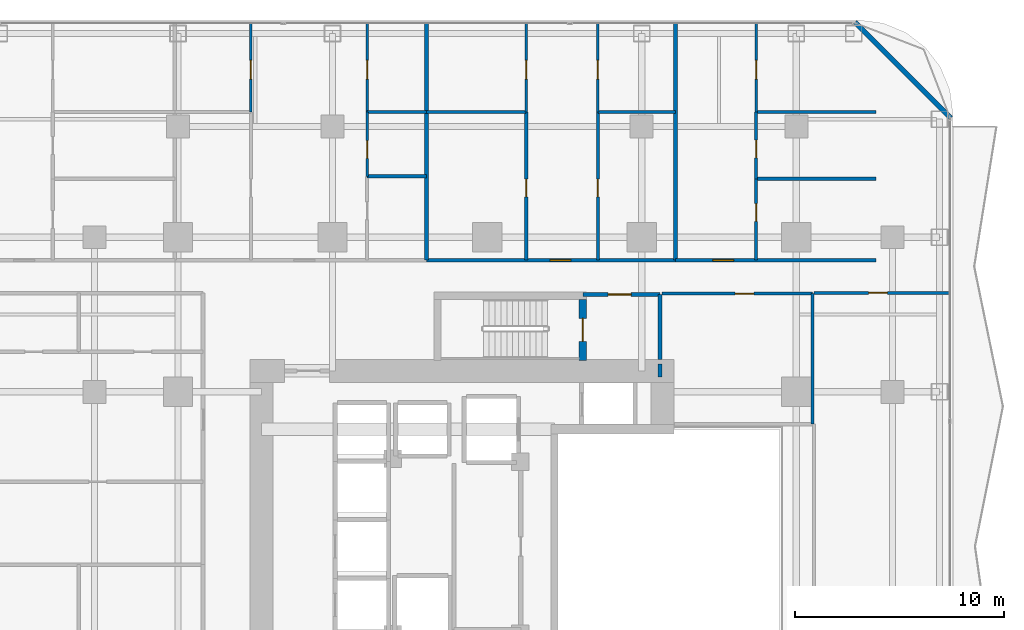
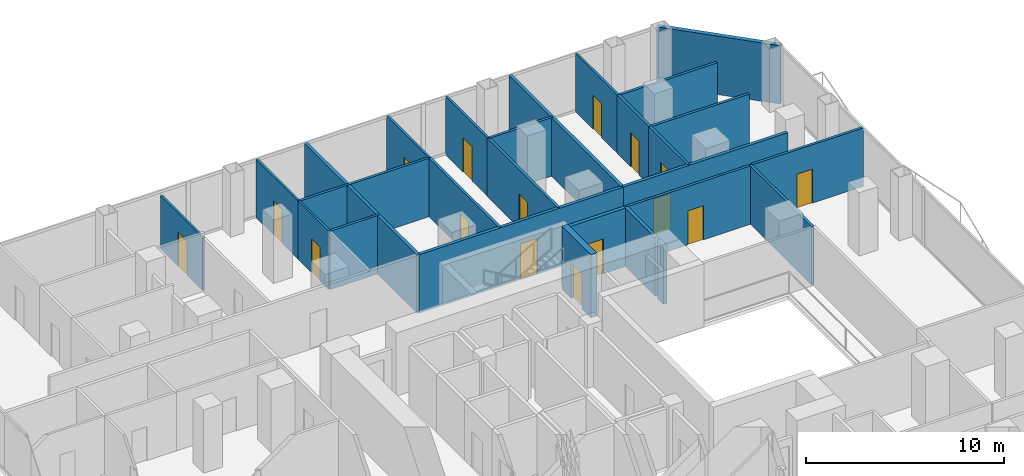
# One storey, part 23 of 29: 28 walls, 16 doors, 16 openings.
"""IFC4 building model written with IfcOpenShell, lengths in metres."""

from ifc_helpers import new_model, si_unit, direction, frame, frame_2d, origin, place, context, subcontext, project, spatial, rectangle, extrude, material, layer, layer_set, type_object, element, fill, save


model = new_model("IFC4")

# Units and contexts
model_context = context("Model", 3, precision=1e-05, world=origin(), true_north=direction((0.0, 1.0)))
body_context = subcontext(model_context, "Body", "Model", "MODEL_VIEW")
ifc_project = project(units=[si_unit("LENGTHUNIT", "METRE"), si_unit("AREAUNIT", "SQUARE_METRE"), si_unit("VOLUMEUNIT", "CUBIC_METRE"), si_unit("PLANEANGLEUNIT", "RADIAN"), si_unit("MASSUNIT", "GRAM", prefix="KILO")], contexts=[model_context])

# Site, building, storey
site_placement = place(None, origin())
site = spatial("IfcSite", under=ifc_project, at=site_placement, CompositionType="ELEMENT")
building_placement = place(site_placement, origin())
building = spatial("IfcBuilding", under=site, at=building_placement, Name="Khorvyn Point Tower", CompositionType="ELEMENT")
storey_placement = place(building_placement, frame((0.0, 0.0, 73.5)))
storey = spatial("IfcBuildingStorey", under=building, at=storey_placement, Name="L19", CompositionType="ELEMENT", Elevation=73.5)

# Wall, opening, door
ifc_material_1 = material(Name="Double acoustic gypsum on twin steel stud", Category="steel")
ifc_layer_1 = layer(ifc_material_1, 0.179931640625)
ifc_layer_set_1 = layer_set([ifc_layer_1], Name="Acoustic Double-Stud Apartment Demising Wall 180")
wall_type_1 = type_object("IfcWallType", Name="Acoustic Double-Stud Apartment Demising Wall 180", PredefinedType="PARTITIONING", material=ifc_layer_set_1)
wall_1_placement = place(storey_placement, frame((-2.89990234375, 13.699951171875, 0.0), z_axis=(0.0, 0.0, 1.0), x_axis=(1.0, 0.0, 0.0)))
wall_1 = element("IfcWall", 1, at=wall_1_placement, inside=storey, type_object=wall_type_1, Name="Wall", PredefinedType="PARTITIONING", context=body_context, shape_type="SweptSolid", body=[
    extrude(rectangle(XDim=11.921875, YDim=0.179931640625, at=frame_2d((5.9609375, 0.0))), origin(), (0.0, 0.0, 1.0), 3.60009765625),
])
opening_1_placement = place(wall_1_placement, frame((5.91015625, 0.0, 0.0)))
opening_1 = element("IfcOpeningElement", 2, at=opening_1_placement, cuts=wall_1, Name="Opening ID-AP60", PredefinedType="OPENING", context=body_context, shape_type="SweptSolid", body=[
    extrude(rectangle(XDim=1.0, YDim=2.199951171875, at=frame_2d((0.5, 1.10009765625))), frame((0.0, 0.099853515625, 0.0), z_axis=(0.0, -1.0, 0.0), x_axis=(1.0, 0.0, 0.0)), (0.0, 0.0, 1.0), 0.199951171875),
])
ifc_material_2 = material(Name="Engineered hardwood fire-rated leaf", Category="wood")
door_type_1 = type_object("IfcDoorType", Name="Acoustic Solid-Core Timber Apartment Entrance Door 1000x2200", OperationType="NOTDEFINED", PredefinedType="DOOR", material=ifc_material_2)
door_1_placement = place(opening_1_placement, origin())
door_1 = element("IfcDoor", 3, at=door_1_placement, inside=storey, type_object=door_type_1, Name="Door", OperationType="SINGLE_SWING_LEFT", OverallHeight=2.199951171875, OverallWidth=1.0, PredefinedType="DOOR", context=body_context, shape_type="SweptSolid", body=[
    extrude(rectangle(XDim=1.0, YDim=2.199951171875, at=frame_2d((0.5, 1.10009765625))), frame((0.0, 0.02490234375, 0.0), z_axis=(0.0, -1.0, 0.0), x_axis=(1.0, 0.0, 0.0)), (0.0, 0.0, 1.0), 0.050048828125),
])
fill(opening_1, door_1)

wall_2_placement = place(storey_placement, frame((9.02197265625, 13.699951171875, 0.0), z_axis=(0.0, 0.0, 1.0), x_axis=(1.0, 0.0, 0.0)))
wall_2 = element("IfcWall", 4, at=wall_2_placement, inside=storey, type_object=wall_type_1, Name="Wall", PredefinedType="PARTITIONING", context=body_context, shape_type="SweptSolid", body=[
    extrude(rectangle(XDim=9.59814453125, YDim=0.179931640625, at=frame_2d((4.799072265625, 0.0))), origin(), (0.0, 0.0, 1.0), 3.60009765625),
])
opening_2_placement = place(wall_2_placement, frame((1.779541015625, 0.0, 0.0)))
opening_2 = element("IfcOpeningElement", 5, at=opening_2_placement, cuts=wall_2, Name="Opening ID-AP60", PredefinedType="OPENING", context=body_context, shape_type="SweptSolid", body=[
    extrude(rectangle(XDim=1.0, YDim=2.199951171875, at=frame_2d((0.5, 1.10009765625))), frame((0.0, 0.099853515625, 0.0), z_axis=(0.0, -1.0, 0.0), x_axis=(1.0, 0.0, 0.0)), (0.0, 0.0, 1.0), 0.199951171875),
])
door_2_placement = place(opening_2_placement, origin())
door_2 = element("IfcDoor", 6, at=door_2_placement, inside=storey, type_object=door_type_1, Name="Door", OperationType="SINGLE_SWING_RIGHT", OverallHeight=2.199951171875, OverallWidth=1.0, PredefinedType="DOOR", context=body_context, shape_type="SweptSolid", body=[
    extrude(rectangle(XDim=1.0, YDim=2.199951171875, at=frame_2d((0.5, 1.10009765625))), frame((0.0, 0.02490234375, 0.0), z_axis=(0.0, -1.0, 0.0), x_axis=(1.0, 0.0, 0.0)), (0.0, 0.0, 1.0), 0.050048828125),
])
fill(opening_2, door_2)

# Walls
for number, where, z_axis, x_axis, name in (
    (7, (-2.89990234375, 13.699951171875, 0.0), (0.0, 0.0, 1.0), (0.0, 1.0, 0.0), "Wall"),
    (8, (9.02197265625, 13.699951171875, 0.0), (0.0, 0.0, 1.0), (0.0, 1.0, 0.0), "Wall"),
):
    element("IfcWall", number, at=place(storey_placement, frame(where, z_axis=z_axis, x_axis=x_axis)), inside=storey, type_object=wall_type_1, Name=name, PredefinedType="PARTITIONING", context=body_context, shape_type="SweptSolid", body=[
        extrude(rectangle(XDim=11.330078125, YDim=0.179931640625, at=frame_2d((5.6650390625, 0.0))), origin(), (0.0, 0.0, 1.0), 3.60009765625),
    ])
ifc_material_3 = material(Name="Pale anodised aluminium rainscreen on steel stud", Category="steel")
ifc_layer_2 = layer(ifc_material_3, 0.239990234375)
ifc_layer_set_2 = layer_set([ifc_layer_2], Name="Anodised Aluminium Insulated Corner Spandrel Wall 240")
wall_type_2 = type_object("IfcWallType", Name="Anodised Aluminium Insulated Corner Spandrel Wall 240", PredefinedType="SOLIDWALL", material=ifc_layer_set_2)
wall_3_placement = place(storey_placement, frame((17.607666015625, 25.09228515625, 0.0), z_axis=(0.0, 0.0, 1.0), x_axis=(0.707106781187, -0.707106781187, 0.0)))
element("IfcWall", 9, at=wall_3_placement, inside=storey, type_object=wall_type_2, Name="L19 Rounded Corner Wall NE", PredefinedType="SOLIDWALL", context=body_context, shape_type="SweptSolid", body=[
    extrude(rectangle(XDim=6.48388671875, YDim=0.239990234375, at=frame_2d((3.241943359375, 0.0))), origin(), (0.0, 0.0, 1.0), 3.60009765625),
])

# Wall, opening, door
ifc_material_4 = material(Name="Concrete C40/50", Category="concrete")
ifc_layer_3 = layer(ifc_material_4, 0.199951171875)
ifc_layer_set_3 = layer_set([ifc_layer_3], Name="Concrete C40/50 Fire-Lobby Compartment Wall 200")
wall_type_3 = type_object("IfcWallType", Name="Concrete C40/50 Fire-Lobby Compartment Wall 200", PredefinedType="SOLIDWALL", material=ifc_layer_set_3)
wall_4_placement = place(storey_placement, frame((4.580078125, 12.06005859375, 0.0), z_axis=(0.0, 0.0, 1.0), x_axis=(1.0, 0.0, 0.0)))
wall_4 = element("IfcWall", 10, at=wall_4_placement, inside=storey, type_object=wall_type_3, Name="Wall", PredefinedType="SOLIDWALL", context=body_context, shape_type="SweptSolid", body=[
    extrude(rectangle(XDim=3.699951171875, YDim=0.199951171875, at=frame_2d((1.85009765625, 0.0))), origin(), (0.0, 0.0, 1.0), 3.60009765625),
])
opening_3_placement = place(wall_4_placement, frame((1.21240234375, 0.0, 0.0)))
opening_3 = element("IfcOpeningElement", 11, at=opening_3_placement, cuts=wall_4, Name="Opening ID-FL90", PredefinedType="OPENING", context=body_context, shape_type="SweptSolid", body=[
    extrude(rectangle(XDim=1.10009765625, YDim=2.14990234375, at=frame_2d((0.550048828125, 1.074951171875))), frame((0.0, 0.10986328125, 0.0), z_axis=(0.0, -1.0, 0.0), x_axis=(1.0, 0.0, 0.0)), (0.0, 0.0, 1.0), 0.219970703125),
])
ifc_material_5 = material(Name="Galvanised powder-coated steel", Category="steel")
door_type_2 = type_object("IfcDoorType", Name="Fire-Rated Steel Lobby and Stair Door 1100x2150", OperationType="NOTDEFINED", PredefinedType="DOOR", material=ifc_material_5)
door_3_placement = place(opening_3_placement, origin())
door_3 = element("IfcDoor", 12, at=door_3_placement, inside=storey, type_object=door_type_2, Name="Door", OperationType="SINGLE_SWING_LEFT", OverallHeight=2.14990234375, OverallWidth=1.10009765625, PredefinedType="DOOR", context=body_context, shape_type="SweptSolid", body=[
    extrude(rectangle(XDim=1.10009765625, YDim=2.14990234375, at=frame_2d((0.550048828125, 1.074951171875))), frame((0.0, 0.02490234375, 0.0), z_axis=(0.0, -1.0, 0.0), x_axis=(1.0, 0.0, 0.0)), (0.0, 0.0, 1.0), 0.050048828125),
])
fill(opening_3, door_3)

# Walls
wall_5_placement = place(storey_placement, frame((8.280029296875, 8.949951171875, 0.0), z_axis=(0.0, 0.0, 1.0), x_axis=(0.0, 1.0, 0.0)))
element("IfcWall", 13, at=wall_5_placement, inside=storey, type_object=wall_type_3, Name="Wall", PredefinedType="SOLIDWALL", context=body_context, shape_type="SweptSolid", body=[
    extrude(rectangle(XDim=3.110107421875, YDim=0.199951171875, at=frame_2d((1.55517578125, 0.0))), origin(), (0.0, 0.0, 1.0), 3.60009765625),
])
wall_6_placement = place(storey_placement, frame((8.280029296875, 8.10009765625, 0.0), z_axis=(0.0, 0.0, 1.0), x_axis=(0.0, 1.0, 0.0)))
element("IfcWall", 14, at=wall_6_placement, inside=storey, type_object=wall_type_3, Name="Wall", PredefinedType="SOLIDWALL", context=body_context, shape_type="SweptSolid", body=[
    extrude(rectangle(XDim=0.625, YDim=0.199951171875, at=frame_2d((0.3125, 0.0))), origin(), (0.0, 0.0, 1.0), 3.60009765625),
])

# Wall, opening, door
ifc_layer_4 = layer(ifc_material_4, 0.35009765625)
ifc_layer_set_4 = layer_set([ifc_layer_4], Name="Concrete C40/50 Stair Shaft Structural Wall 350")
wall_type_4 = type_object("IfcWallType", Name="Concrete C40/50 Stair Shaft Structural Wall 350", PredefinedType="SHEAR", material=ifc_layer_set_4)
wall_7_placement = place(storey_placement, frame((4.580078125, 11.824951171875, 0.0), z_axis=(0.0, 0.0, 1.0), x_axis=(0.0, -1.0, 0.0)))
wall_7 = element("IfcWall", 15, at=wall_7_placement, inside=storey, type_object=wall_type_4, Name="L19 ST-02 East Landing Door Wall", PredefinedType="SHEAR", context=body_context, shape_type="SweptSolid", body=[
    extrude(rectangle(XDim=2.925048828125, YDim=0.35009765625, at=frame_2d((1.46240234375, 0.0))), origin(), (0.0, 0.0, 1.0), 3.89990234375),
])
opening_4_placement = place(wall_7_placement, frame((0.91259765625, 0.0, 0.0)))
opening_4 = element("IfcOpeningElement", 16, at=opening_4_placement, cuts=wall_7, Name="Opening ID-FL90", PredefinedType="OPENING", context=body_context, shape_type="SweptSolid", body=[
    extrude(rectangle(XDim=1.10009765625, YDim=2.14990234375, at=frame_2d((0.550048828125, 1.074951171875))), frame((0.0, 0.18505859375, 0.0), z_axis=(0.0, -1.0, 0.0), x_axis=(1.0, 0.0, 0.0)), (0.0, 0.0, 1.0), 0.3701171875),
])
door_4_placement = place(opening_4_placement, origin())
door_4 = element("IfcDoor", 17, at=door_4_placement, inside=storey, type_object=door_type_2, Name="L19 ST-02 Smokeproof Landing Door", OperationType="SINGLE_SWING_RIGHT", OverallHeight=2.14990234375, OverallWidth=1.10009765625, PredefinedType="DOOR", context=body_context, shape_type="SweptSolid", body=[
    extrude(rectangle(XDim=1.10009765625, YDim=2.14990234375, at=frame_2d((0.550048828125, 1.074951171875))), frame((0.0, 0.02490234375, 0.0), z_axis=(0.0, -1.0, 0.0), x_axis=(1.0, 0.0, 0.0)), (0.0, 0.0, 1.0), 0.050048828125),
])
fill(opening_4, door_4)

ifc_material_6 = material(Name="Gypsum plasterboard on steel stud", Category="steel")
ifc_layer_5 = layer(ifc_material_6, 0.1201171875)
ifc_layer_set_5 = layer_set([ifc_layer_5], Name="Gypsum Acoustic Stud Room Partition Wall 120")
wall_type_5 = type_object("IfcWallType", Name="Gypsum Acoustic Stud Room Partition Wall 120", PredefinedType="PARTITIONING", material=ifc_layer_set_5)
wall_8_placement = place(storey_placement, frame((-11.30810546875, 20.7900390625, 0.0), z_axis=(0.0, 0.0, 1.0), x_axis=(0.0, 1.0, 0.0)))
wall_8 = element("IfcWall", 18, at=wall_8_placement, inside=storey, type_object=wall_type_5, Name="Wall", PredefinedType="PARTITIONING", context=body_context, shape_type="SweptSolid", body=[
    extrude(rectangle(XDim=4.239990234375, YDim=0.1201171875, at=frame_2d((2.1201171875, 0.0))), origin(), (0.0, 0.0, 1.0), 3.2900390625),
])
opening_5_placement = place(wall_8_placement, frame((1.581298828125, 0.0, 0.0)))
opening_5 = element("IfcOpeningElement", 19, at=opening_5_placement, cuts=wall_8, Name="Opening ID-RM90", PredefinedType="OPENING", context=body_context, shape_type="SweptSolid", body=[
    extrude(rectangle(XDim=0.89990234375, YDim=2.10009765625, at=frame_2d((0.449951171875, 1.050048828125))), frame((0.0, 0.070068359375, 0.0), z_axis=(0.0, -1.0, 0.0), x_axis=(1.0, 0.0, 0.0)), (0.0, 0.0, 1.0), 0.14013671875),
])
ifc_material_7 = material(Name="Engineered oak veneer timber", Category="wood")
door_type_3 = type_object("IfcDoorType", Name="Flush Engineered Timber Room Door 900x2100", OperationType="NOTDEFINED", PredefinedType="DOOR", material=ifc_material_7)
door_5_placement = place(opening_5_placement, origin())
door_5 = element("IfcDoor", 20, at=door_5_placement, inside=storey, type_object=door_type_3, Name="Door", OperationType="SINGLE_SWING_LEFT", OverallHeight=2.10009765625, OverallWidth=0.89990234375, PredefinedType="DOOR", context=body_context, shape_type="SweptSolid", body=[
    extrude(rectangle(XDim=0.89990234375, YDim=2.10009765625, at=frame_2d((0.449951171875, 1.050048828125))), frame((0.0, 0.02490234375, 0.0), z_axis=(0.0, -1.0, 0.0), x_axis=(1.0, 0.0, 0.0)), (0.0, 0.0, 1.0), 0.050048828125),
])
fill(opening_5, door_5)

wall_9_placement = place(storey_placement, frame((-5.75, 17.719970703125, 0.0), z_axis=(0.0, 0.0, 1.0), x_axis=(0.0, 1.0, 0.0)))
wall_9 = element("IfcWall", 21, at=wall_9_placement, inside=storey, type_object=wall_type_5, Name="Wall", PredefinedType="PARTITIONING", context=body_context, shape_type="SweptSolid", body=[
    extrude(rectangle(XDim=3.070068359375, YDim=0.1201171875, at=frame_2d((1.53515625, 0.0))), origin(), (0.0, 0.0, 1.0), 3.60009765625),
])
opening_6_placement = place(wall_9_placement, frame((0.850830078125, 0.0, 0.0)))
opening_6 = element("IfcOpeningElement", 22, at=opening_6_placement, cuts=wall_9, Name="Opening ID-WC85", PredefinedType="OPENING", context=body_context, shape_type="SweptSolid", body=[
    extrude(rectangle(XDim=0.85009765625, YDim=2.10009765625, at=frame_2d((0.425048828125, 1.050048828125))), frame((0.0, 0.070068359375, 0.0), z_axis=(0.0, -1.0, 0.0), x_axis=(1.0, 0.0, 0.0)), (0.0, 0.0, 1.0), 0.14013671875),
])
ifc_material_8 = material(Name="High-pressure laminate on moisture-resistant core", Category="wood")
door_type_4 = type_object("IfcDoorType", Name="Moisture-Resistant Accessible Washroom Door 850x2100", OperationType="NOTDEFINED", PredefinedType="DOOR", material=ifc_material_8)
door_6_placement = place(opening_6_placement, origin())
door_6 = element("IfcDoor", 23, at=door_6_placement, inside=storey, type_object=door_type_4, Name="Door", OperationType="SINGLE_SWING_LEFT", OverallHeight=2.10009765625, OverallWidth=0.85009765625, PredefinedType="DOOR", context=body_context, shape_type="SweptSolid", body=[
    extrude(rectangle(XDim=0.85009765625, YDim=2.10009765625, at=frame_2d((0.425048828125, 1.050048828125))), frame((0.0, 0.02490234375, 0.0), z_axis=(0.0, -1.0, 0.0), x_axis=(1.0, 0.0, 0.0)), (0.0, 0.0, 1.0), 0.050048828125),
])
fill(opening_6, door_6)

wall_10_placement = place(storey_placement, frame((-5.75, 20.7900390625, 0.0), z_axis=(0.0, 0.0, 1.0), x_axis=(0.0, 1.0, 0.0)))
wall_10 = element("IfcWall", 24, at=wall_10_placement, inside=storey, type_object=wall_type_5, Name="Wall", PredefinedType="PARTITIONING", context=body_context, shape_type="SweptSolid", body=[
    extrude(rectangle(XDim=4.239990234375, YDim=0.1201171875, at=frame_2d((2.1201171875, 0.0))), origin(), (0.0, 0.0, 1.0), 3.60009765625),
])
opening_7_placement = place(wall_10_placement, frame((1.581298828125, 0.0, 0.0)))
opening_7 = element("IfcOpeningElement", 25, at=opening_7_placement, cuts=wall_10, Name="Opening ID-RM90", PredefinedType="OPENING", context=body_context, shape_type="SweptSolid", body=[
    extrude(rectangle(XDim=0.89990234375, YDim=2.10009765625, at=frame_2d((0.449951171875, 1.050048828125))), frame((0.0, 0.070068359375, 0.0), z_axis=(0.0, -1.0, 0.0), x_axis=(1.0, 0.0, 0.0)), (0.0, 0.0, 1.0), 0.14013671875),
])
door_7_placement = place(opening_7_placement, origin())
door_7 = element("IfcDoor", 26, at=door_7_placement, inside=storey, type_object=door_type_3, Name="Door", OperationType="SINGLE_SWING_RIGHT", OverallHeight=2.10009765625, OverallWidth=0.89990234375, PredefinedType="DOOR", context=body_context, shape_type="SweptSolid", body=[
    extrude(rectangle(XDim=0.89990234375, YDim=2.10009765625, at=frame_2d((0.449951171875, 1.050048828125))), frame((0.0, 0.02490234375, 0.0), z_axis=(0.0, -1.0, 0.0), x_axis=(1.0, 0.0, 0.0)), (0.0, 0.0, 1.0), 0.050048828125),
])
fill(opening_7, door_7)

wall_11_placement = place(storey_placement, frame((1.868896484375, 20.7900390625, 0.0), z_axis=(0.0, 0.0, 1.0), x_axis=(0.0, 1.0, 0.0)))
wall_11 = element("IfcWall", 27, at=wall_11_placement, inside=storey, type_object=wall_type_5, Name="Wall", PredefinedType="PARTITIONING", context=body_context, shape_type="SweptSolid", body=[
    extrude(rectangle(XDim=4.239990234375, YDim=0.1201171875, at=frame_2d((2.1201171875, 0.0))), origin(), (0.0, 0.0, 1.0), 3.60009765625),
])
opening_8_placement = place(wall_11_placement, frame((1.581298828125, 0.0, 0.0)))
opening_8 = element("IfcOpeningElement", 28, at=opening_8_placement, cuts=wall_11, Name="Opening ID-RM90", PredefinedType="OPENING", context=body_context, shape_type="SweptSolid", body=[
    extrude(rectangle(XDim=0.89990234375, YDim=2.10009765625, at=frame_2d((0.449951171875, 1.050048828125))), frame((0.0, 0.070068359375, 0.0), z_axis=(0.0, -1.0, 0.0), x_axis=(1.0, 0.0, 0.0)), (0.0, 0.0, 1.0), 0.14013671875),
])
door_8_placement = place(opening_8_placement, origin())
door_8 = element("IfcDoor", 29, at=door_8_placement, inside=storey, type_object=door_type_3, Name="Door", OperationType="SINGLE_SWING_LEFT", OverallHeight=2.10009765625, OverallWidth=0.89990234375, PredefinedType="DOOR", context=body_context, shape_type="SweptSolid", body=[
    extrude(rectangle(XDim=0.89990234375, YDim=2.10009765625, at=frame_2d((0.449951171875, 1.050048828125))), frame((0.0, 0.02490234375, 0.0), z_axis=(0.0, -1.0, 0.0), x_axis=(1.0, 0.0, 0.0)), (0.0, 0.0, 1.0), 0.050048828125),
])
fill(opening_8, door_8)

wall_12_placement = place(storey_placement, frame((5.302001953125, 20.7900390625, 0.0), z_axis=(0.0, 0.0, 1.0), x_axis=(0.0, 1.0, 0.0)))
wall_12 = element("IfcWall", 30, at=wall_12_placement, inside=storey, type_object=wall_type_5, Name="Wall", PredefinedType="PARTITIONING", context=body_context, shape_type="SweptSolid", body=[
    extrude(rectangle(XDim=4.239990234375, YDim=0.1201171875, at=frame_2d((2.1201171875, 0.0))), origin(), (0.0, 0.0, 1.0), 3.60009765625),
])
opening_9_placement = place(wall_12_placement, frame((1.581298828125, 0.0, 0.0)))
opening_9 = element("IfcOpeningElement", 31, at=opening_9_placement, cuts=wall_12, Name="Opening ID-RM90", PredefinedType="OPENING", context=body_context, shape_type="SweptSolid", body=[
    extrude(rectangle(XDim=0.89990234375, YDim=2.10009765625, at=frame_2d((0.449951171875, 1.050048828125))), frame((0.0, 0.070068359375, 0.0), z_axis=(0.0, -1.0, 0.0), x_axis=(1.0, 0.0, 0.0)), (0.0, 0.0, 1.0), 0.14013671875),
])
door_9_placement = place(opening_9_placement, origin())
door_9 = element("IfcDoor", 32, at=door_9_placement, inside=storey, type_object=door_type_3, Name="Door", OperationType="SINGLE_SWING_LEFT", OverallHeight=2.10009765625, OverallWidth=0.89990234375, PredefinedType="DOOR", context=body_context, shape_type="SweptSolid", body=[
    extrude(rectangle(XDim=0.89990234375, YDim=2.10009765625, at=frame_2d((0.449951171875, 1.050048828125))), frame((0.0, 0.02490234375, 0.0), z_axis=(0.0, -1.0, 0.0), x_axis=(1.0, 0.0, 0.0)), (0.0, 0.0, 1.0), 0.050048828125),
])
fill(opening_9, door_9)

wall_13_placement = place(storey_placement, frame((12.875, 20.7900390625, 0.0), z_axis=(0.0, 0.0, 1.0), x_axis=(0.0, 1.0, 0.0)))
wall_13 = element("IfcWall", 33, at=wall_13_placement, inside=storey, type_object=wall_type_5, Name="Wall", PredefinedType="PARTITIONING", context=body_context, shape_type="SweptSolid", body=[
    extrude(rectangle(XDim=4.239990234375, YDim=0.1201171875, at=frame_2d((2.1201171875, 0.0))), origin(), (0.0, 0.0, 1.0), 3.60009765625),
])
opening_10_placement = place(wall_13_placement, frame((1.581298828125, 0.0, 0.0)))
opening_10 = element("IfcOpeningElement", 34, at=opening_10_placement, cuts=wall_13, Name="Opening ID-RM90", PredefinedType="OPENING", context=body_context, shape_type="SweptSolid", body=[
    extrude(rectangle(XDim=0.89990234375, YDim=2.10009765625, at=frame_2d((0.449951171875, 1.050048828125))), frame((0.0, 0.070068359375, 0.0), z_axis=(0.0, -1.0, 0.0), x_axis=(1.0, 0.0, 0.0)), (0.0, 0.0, 1.0), 0.14013671875),
])
door_10_placement = place(opening_10_placement, origin())
door_10 = element("IfcDoor", 35, at=door_10_placement, inside=storey, type_object=door_type_3, Name="Door", OperationType="SINGLE_SWING_LEFT", OverallHeight=2.10009765625, OverallWidth=0.89990234375, PredefinedType="DOOR", context=body_context, shape_type="SweptSolid", body=[
    extrude(rectangle(XDim=0.89990234375, YDim=2.10009765625, at=frame_2d((0.449951171875, 1.050048828125))), frame((0.0, 0.02490234375, 0.0), z_axis=(0.0, -1.0, 0.0), x_axis=(1.0, 0.0, 0.0)), (0.0, 0.0, 1.0), 0.050048828125),
])
fill(opening_10, door_10)

ifc_material_9 = material(Name="Moisture-resistant gypsum and cement board", Category="gypsum")
ifc_layer_6 = layer(ifc_material_9, 0.14990234375)
ifc_layer_set_6 = layer_set([ifc_layer_6], Name="Moisture-Resistant Wet-Room Partition Wall 150")
wall_type_6 = type_object("IfcWallType", Name="Moisture-Resistant Wet-Room Partition Wall 150", PredefinedType="PARTITIONING", material=ifc_layer_set_6)
wall_14_placement = place(storey_placement, frame((8.360107421875, 12.10009765625, 0.0), z_axis=(0.0, 0.0, 1.0), x_axis=(1.0, 0.0, 0.0)))
wall_14 = element("IfcWall", 36, at=wall_14_placement, inside=storey, type_object=wall_type_6, Name="Wall", PredefinedType="PARTITIONING", context=body_context, shape_type="SweptSolid", body=[
    extrude(rectangle(XDim=7.219970703125, YDim=0.14990234375, at=frame_2d((3.60986328125, 0.0))), origin(), (0.0, 0.0, 1.0), 3.60009765625),
])
opening_11_placement = place(wall_14_placement, frame((3.512939453125, 0.0, 0.0)))
opening_11 = element("IfcOpeningElement", 37, at=opening_11_placement, cuts=wall_14, Name="Opening ID-RM90", PredefinedType="OPENING", context=body_context, shape_type="SweptSolid", body=[
    extrude(rectangle(XDim=0.89990234375, YDim=2.10009765625, at=frame_2d((0.449951171875, 1.050048828125))), frame((0.0, 0.0849609375, 0.0), z_axis=(0.0, -1.0, 0.0), x_axis=(1.0, 0.0, 0.0)), (0.0, 0.0, 1.0), 0.169921875),
])
door_11_placement = place(opening_11_placement, origin())
door_11 = element("IfcDoor", 38, at=door_11_placement, inside=storey, type_object=door_type_3, Name="Door", OperationType="SINGLE_SWING_RIGHT", OverallHeight=2.10009765625, OverallWidth=0.89990234375, PredefinedType="DOOR", context=body_context, shape_type="SweptSolid", body=[
    extrude(rectangle(XDim=0.89990234375, YDim=2.10009765625, at=frame_2d((0.449951171875, 1.050048828125))), frame((0.0, 0.02490234375, 0.0), z_axis=(0.0, -1.0, 0.0), x_axis=(1.0, 0.0, 0.0)), (0.0, 0.0, 1.0), 0.050048828125),
])
fill(opening_11, door_11)

wall_15_placement = place(storey_placement, frame((1.868896484375, 13.699951171875, 0.0), z_axis=(0.0, 0.0, 1.0), x_axis=(0.0, 1.0, 0.0)))
wall_15 = element("IfcWall", 39, at=wall_15_placement, inside=storey, type_object=wall_type_6, Name="Wall", PredefinedType="PARTITIONING", context=body_context, shape_type="SweptSolid", body=[
    extrude(rectangle(XDim=7.090087890625, YDim=0.14990234375, at=frame_2d((3.544921875, 0.0))), origin(), (0.0, 0.0, 1.0), 3.60009765625),
])
opening_12_placement = place(wall_15_placement, frame((3.0302734375, 0.0, 0.0)))
opening_12 = element("IfcOpeningElement", 40, at=opening_12_placement, cuts=wall_15, Name="Opening ID-WC85", PredefinedType="OPENING", context=body_context, shape_type="SweptSolid", body=[
    extrude(rectangle(XDim=0.85009765625, YDim=2.10009765625, at=frame_2d((0.425048828125, 1.050048828125))), frame((0.0, 0.0849609375, 0.0), z_axis=(0.0, -1.0, 0.0), x_axis=(1.0, 0.0, 0.0)), (0.0, 0.0, 1.0), 0.169921875),
])
door_12_placement = place(opening_12_placement, origin())
door_12 = element("IfcDoor", 41, at=door_12_placement, inside=storey, type_object=door_type_4, Name="Door", OperationType="SINGLE_SWING_RIGHT", OverallHeight=2.10009765625, OverallWidth=0.85009765625, PredefinedType="DOOR", context=body_context, shape_type="SweptSolid", body=[
    extrude(rectangle(XDim=0.85009765625, YDim=2.10009765625, at=frame_2d((0.425048828125, 1.050048828125))), frame((0.0, 0.02490234375, 0.0), z_axis=(0.0, -1.0, 0.0), x_axis=(1.0, 0.0, 0.0)), (0.0, 0.0, 1.0), 0.050048828125),
])
fill(opening_12, door_12)

wall_16_placement = place(storey_placement, frame((5.302001953125, 13.699951171875, 0.0), z_axis=(0.0, 0.0, 1.0), x_axis=(0.0, 1.0, 0.0)))
wall_16 = element("IfcWall", 42, at=wall_16_placement, inside=storey, type_object=wall_type_6, Name="Wall", PredefinedType="PARTITIONING", context=body_context, shape_type="SweptSolid", body=[
    extrude(rectangle(XDim=7.090087890625, YDim=0.14990234375, at=frame_2d((3.544921875, 0.0))), origin(), (0.0, 0.0, 1.0), 3.60009765625),
])
opening_13_placement = place(wall_16_placement, frame((3.0302734375, 0.0, 0.0)))
opening_13 = element("IfcOpeningElement", 43, at=opening_13_placement, cuts=wall_16, Name="Opening ID-WC85", PredefinedType="OPENING", context=body_context, shape_type="SweptSolid", body=[
    extrude(rectangle(XDim=0.85009765625, YDim=2.10009765625, at=frame_2d((0.425048828125, 1.050048828125))), frame((0.0, 0.0849609375, 0.0), z_axis=(0.0, -1.0, 0.0), x_axis=(1.0, 0.0, 0.0)), (0.0, 0.0, 1.0), 0.169921875),
])
door_13_placement = place(opening_13_placement, origin())
door_13 = element("IfcDoor", 44, at=door_13_placement, inside=storey, type_object=door_type_4, Name="Door", OperationType="SINGLE_SWING_RIGHT", OverallHeight=2.10009765625, OverallWidth=0.85009765625, PredefinedType="DOOR", context=body_context, shape_type="SweptSolid", body=[
    extrude(rectangle(XDim=0.85009765625, YDim=2.10009765625, at=frame_2d((0.425048828125, 1.050048828125))), frame((0.0, 0.02490234375, 0.0), z_axis=(0.0, -1.0, 0.0), x_axis=(1.0, 0.0, 0.0)), (0.0, 0.0, 1.0), 0.050048828125),
])
fill(opening_13, door_13)

wall_17_placement = place(storey_placement, frame((12.875, 13.699951171875, 0.0), z_axis=(0.0, 0.0, 1.0), x_axis=(0.0, 1.0, 0.0)))
wall_17 = element("IfcWall", 45, at=wall_17_placement, inside=storey, type_object=wall_type_6, Name="Wall", PredefinedType="PARTITIONING", context=body_context, shape_type="SweptSolid", body=[
    extrude(rectangle(XDim=3.899169921875, YDim=0.14990234375, at=frame_2d((1.94970703125, 0.0))), origin(), (0.0, 0.0, 1.0), 3.60009765625),
])
opening_14_placement = place(wall_17_placement, frame((1.865478515625, 0.0, 0.0)))
opening_14 = element("IfcOpeningElement", 46, at=opening_14_placement, cuts=wall_17, Name="Opening ID-WC85", PredefinedType="OPENING", context=body_context, shape_type="SweptSolid", body=[
    extrude(rectangle(XDim=0.85009765625, YDim=2.10009765625, at=frame_2d((0.425048828125, 1.050048828125))), frame((0.0, 0.0849609375, 0.0), z_axis=(0.0, -1.0, 0.0), x_axis=(1.0, 0.0, 0.0)), (0.0, 0.0, 1.0), 0.169921875),
])
door_14_placement = place(opening_14_placement, origin())
door_14 = element("IfcDoor", 47, at=door_14_placement, inside=storey, type_object=door_type_4, Name="Door", OperationType="SINGLE_SWING_LEFT", OverallHeight=2.10009765625, OverallWidth=0.85009765625, PredefinedType="DOOR", context=body_context, shape_type="SweptSolid", body=[
    extrude(rectangle(XDim=0.85009765625, YDim=2.10009765625, at=frame_2d((0.425048828125, 1.050048828125))), frame((0.0, 0.02490234375, 0.0), z_axis=(0.0, -1.0, 0.0), x_axis=(1.0, 0.0, 0.0)), (0.0, 0.0, 1.0), 0.050048828125),
])
fill(opening_14, door_14)

wall_18_placement = place(storey_placement, frame((12.875, 17.59912109375, 0.0), z_axis=(0.0, 0.0, 1.0), x_axis=(0.0, 1.0, 0.0)))
wall_18 = element("IfcWall", 48, at=wall_18_placement, inside=storey, type_object=wall_type_6, Name="Wall", PredefinedType="PARTITIONING", context=body_context, shape_type="SweptSolid", body=[
    extrude(rectangle(XDim=3.19091796875, YDim=0.14990234375, at=frame_2d((1.595458984375, 0.0))), origin(), (0.0, 0.0, 1.0), 3.60009765625),
])
opening_15_placement = place(wall_18_placement, frame((1.002197265625, 0.0, 0.0)))
opening_15 = element("IfcOpeningElement", 49, at=opening_15_placement, cuts=wall_18, Name="Opening ID-WC85", PredefinedType="OPENING", context=body_context, shape_type="SweptSolid", body=[
    extrude(rectangle(XDim=0.85009765625, YDim=2.10009765625, at=frame_2d((0.425048828125, 1.050048828125))), frame((0.0, 0.0849609375, 0.0), z_axis=(0.0, -1.0, 0.0), x_axis=(1.0, 0.0, 0.0)), (0.0, 0.0, 1.0), 0.169921875),
])
door_15_placement = place(opening_15_placement, origin())
door_15 = element("IfcDoor", 50, at=door_15_placement, inside=storey, type_object=door_type_4, Name="Door", OperationType="SINGLE_SWING_RIGHT", OverallHeight=2.10009765625, OverallWidth=0.85009765625, PredefinedType="DOOR", context=body_context, shape_type="SweptSolid", body=[
    extrude(rectangle(XDim=0.85009765625, YDim=2.10009765625, at=frame_2d((0.425048828125, 1.050048828125))), frame((0.0, 0.02490234375, 0.0), z_axis=(0.0, -1.0, 0.0), x_axis=(1.0, 0.0, 0.0)), (0.0, 0.0, 1.0), 0.050048828125),
])
fill(opening_15, door_15)

wall_19_placement = place(storey_placement, frame((15.64990234375, 12.139892578125, 0.0), z_axis=(0.0, 0.0, 1.0), x_axis=(1.0, 0.0, 0.0)))
wall_19 = element("IfcWall", 51, at=wall_19_placement, inside=storey, type_object=wall_type_6, Name="Wall", PredefinedType="PARTITIONING", context=body_context, shape_type="SweptSolid", body=[
    extrude(rectangle(XDim=6.47021484375, YDim=0.14990234375, at=frame_2d((3.235107421875, 0.0))), origin(), (0.0, 0.0, 1.0), 3.60009765625),
])
opening_16_placement = place(wall_19_placement, frame((2.610107421875, 0.0, 0.0)))
opening_16 = element("IfcOpeningElement", 52, at=opening_16_placement, cuts=wall_19, Name="Opening ID-RM90", PredefinedType="OPENING", context=body_context, shape_type="SweptSolid", body=[
    extrude(rectangle(XDim=0.89990234375, YDim=2.10009765625, at=frame_2d((0.449951171875, 1.050048828125))), frame((0.0, 0.0849609375, 0.0), z_axis=(0.0, -1.0, 0.0), x_axis=(1.0, 0.0, 0.0)), (0.0, 0.0, 1.0), 0.169921875),
])
door_16_placement = place(opening_16_placement, origin())
door_16 = element("IfcDoor", 53, at=door_16_placement, inside=storey, type_object=door_type_3, Name="Door", OperationType="SINGLE_SWING_LEFT", OverallHeight=2.10009765625, OverallWidth=0.89990234375, PredefinedType="DOOR", context=body_context, shape_type="SweptSolid", body=[
    extrude(rectangle(XDim=0.89990234375, YDim=2.10009765625, at=frame_2d((0.449951171875, 1.050048828125))), frame((0.0, 0.02490234375, 0.0), z_axis=(0.0, -1.0, 0.0), x_axis=(1.0, 0.0, 0.0)), (0.0, 0.0, 1.0), 0.050048828125),
])
fill(opening_16, door_16)

# Walls
wall_20_placement = place(storey_placement, frame((15.580078125, 5.85009765625, 0.0), z_axis=(0.0, 0.0, 1.0), x_axis=(0.0, 1.0, 0.0)))
element("IfcWall", 54, at=wall_20_placement, inside=storey, type_object=wall_type_6, Name="Wall", PredefinedType="PARTITIONING", context=body_context, shape_type="SweptSolid", body=[
    extrude(rectangle(XDim=6.25, YDim=0.14990234375, at=frame_2d((3.125, 0.0))), origin(), (0.0, 0.0, 1.0), 3.60009765625),
])
for number, where, z_axis, x_axis, name in (
    (55, (-5.75, 17.719970703125, 0.0), (0.0, 0.0, 1.0), (1.0, 0.0, 0.0), "Wall"),
    (56, (-5.75, 20.7900390625, 0.0), (0.0, 0.0, 1.0), (1.0, 0.0, 0.0), "Wall"),
):
    element("IfcWall", number, at=place(storey_placement, frame(where, z_axis=z_axis, x_axis=x_axis)), inside=storey, type_object=wall_type_6, Name=name, PredefinedType="PARTITIONING", context=body_context, shape_type="SweptSolid", body=[
        extrude(rectangle(XDim=2.85009765625, YDim=0.14990234375, at=frame_2d((1.425048828125, 0.0))), origin(), (0.0, 0.0, 1.0), 3.60009765625),
    ])
wall_21_placement = place(storey_placement, frame((-2.89990234375, 20.7900390625, 0.0), z_axis=(0.0, 0.0, 1.0), x_axis=(1.0, 0.0, 0.0)))
element("IfcWall", 57, at=wall_21_placement, inside=storey, type_object=wall_type_6, Name="Wall", PredefinedType="PARTITIONING", context=body_context, shape_type="SweptSolid", body=[
    extrude(rectangle(XDim=4.768798828125, YDim=0.14990234375, at=frame_2d((2.38427734375, 0.0))), origin(), (0.0, 0.0, 1.0), 3.60009765625),
])
wall_22_placement = place(storey_placement, frame((5.302001953125, 20.7900390625, 0.0), z_axis=(0.0, 0.0, 1.0), x_axis=(1.0, 0.0, 0.0)))
element("IfcWall", 58, at=wall_22_placement, inside=storey, type_object=wall_type_6, Name="Wall", PredefinedType="PARTITIONING", context=body_context, shape_type="SweptSolid", body=[
    extrude(rectangle(XDim=3.719970703125, YDim=0.14990234375, at=frame_2d((1.85986328125, 0.0))), origin(), (0.0, 0.0, 1.0), 3.60009765625),
])
for number, where, z_axis, x_axis, name in (
    (59, (12.875, 17.59912109375, 0.0), (0.0, 0.0, 1.0), (1.0, 0.0, 0.0), "Wall"),
    (60, (12.875, 20.7900390625, 0.0), (0.0, 0.0, 1.0), (1.0, 0.0, 0.0), "Wall"),
):
    element("IfcWall", number, at=place(storey_placement, frame(where, z_axis=z_axis, x_axis=x_axis)), inside=storey, type_object=wall_type_6, Name=name, PredefinedType="PARTITIONING", context=body_context, shape_type="SweptSolid", body=[
        extrude(rectangle(XDim=5.7451171875, YDim=0.14990234375, at=frame_2d((2.87255859375, 0.0))), origin(), (0.0, 0.0, 1.0), 3.60009765625),
    ])

save(model, "model.ifc")
